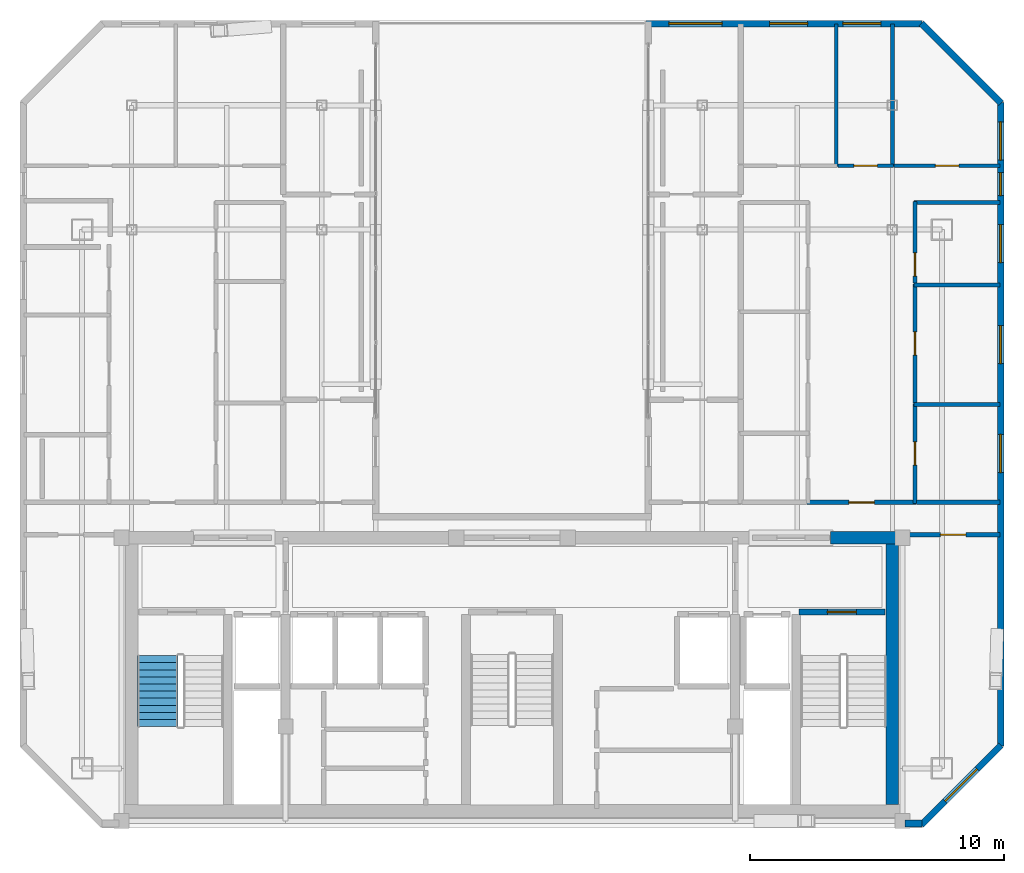
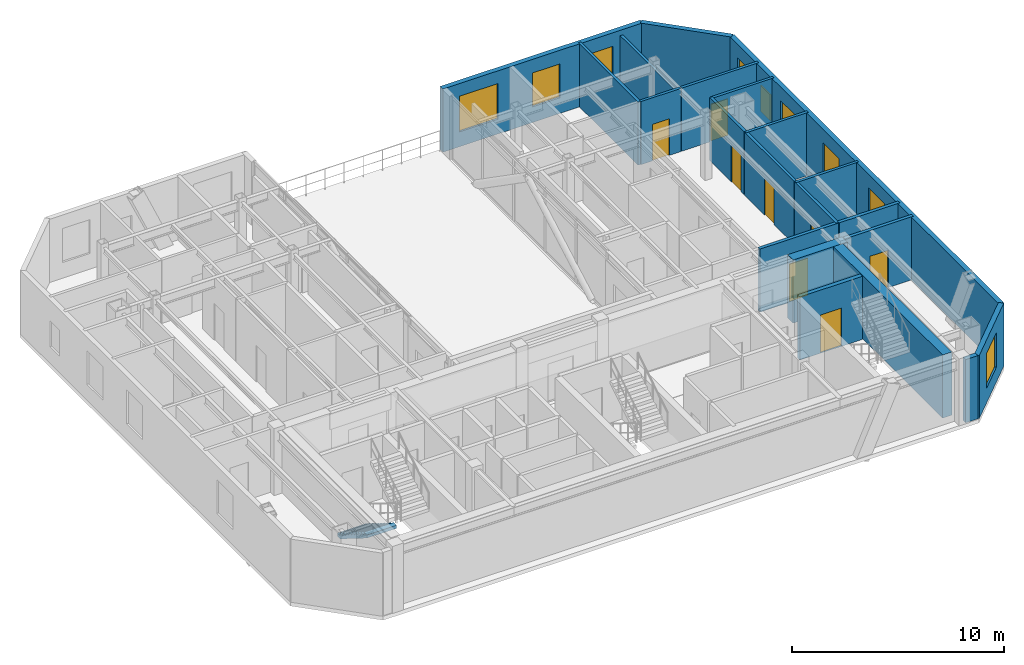
# One storey, part 12 of 14: 21 walls, 9 windows, 8 doors, 1 stair flight, 17 openings, 1 element without a shape of its own.
"""IFC4 building model written with IfcOpenShell, lengths in metres."""

from ifc_helpers import new_model, si_unit, direction, frame, frame_2d, origin, place, context, subcontext, project, spatial, polyline, rectangle, outline, extrude, material, layer, layer_set, type_object, element, fill, aggregate, save


model = new_model("IFC4")

# Units and contexts
model_context = context("Model", 3, precision=1e-05, world=origin(), true_north=direction((0.0, 1.0)))
body_context = subcontext(model_context, "Body", "Model", "MODEL_VIEW")
ifc_project = project(units=[si_unit("LENGTHUNIT", "METRE"), si_unit("AREAUNIT", "SQUARE_METRE"), si_unit("VOLUMEUNIT", "CUBIC_METRE"), si_unit("PLANEANGLEUNIT", "RADIAN"), si_unit("MASSUNIT", "GRAM", prefix="KILO")], contexts=[model_context])

# Site, building, storey
site_placement = place(None, origin())
site = spatial("IfcSite", under=ifc_project, at=site_placement, CompositionType="ELEMENT")
building_placement = place(site_placement, origin())
building = spatial("IfcBuilding", under=site, at=building_placement, Name="Ventersveld Concourse Tower", CompositionType="ELEMENT")
storey_placement = place(building_placement, frame((0.0, 0.0, 337.5)))
storey = spatial("IfcBuildingStorey", under=building, at=storey_placement, Name="L83", CompositionType="ELEMENT", Elevation=337.5)

# Walls
ifc_material_1 = material(Name="Concrete C50/60", Category="concrete")
ifc_layer_1 = layer(ifc_material_1, 0.5)
ifc_layer_set_1 = layer_set([ifc_layer_1], Name="Concrete C50/60")
wall_type_1 = type_object("IfcWallType", Name="WL-CORE-500", PredefinedType="SHEAR", material=ifc_layer_set_1)
wall_1_placement = place(storey_placement, frame((43.75, 0.919921875, 0.0), z_axis=(0.0, 0.0, 1.0), x_axis=(0.0, 1.0, 0.0)))
element("IfcWall", 1, at=wall_1_placement, inside=storey, type_object=wall_type_1, Name="L83 Rear Core East Shear Wall", PredefinedType="SHEAR", context=body_context, shape_type="SweptSolid", body=[
    extrude(rectangle(XDim=10.530029296875, YDim=0.5, at=frame_2d((5.26513671875, 0.0))), origin(), (0.0, 0.0, 1.0), 3.6298828125),
])
wall_2_placement = place(storey_placement, frame((41.300048828125, 11.449951171875, 0.0), z_axis=(0.0, 0.0, 1.0), x_axis=(1.0, 0.0, 0.0)))
element("IfcWall", 2, at=wall_2_placement, inside=storey, type_object=wall_type_1, Name="L83 Rear Core North Shear Wall NE", PredefinedType="SHEAR", context=body_context, shape_type="SweptSolid", body=[
    extrude(rectangle(XDim=2.949951171875, YDim=0.5, at=frame_2d((1.47509765625, 0.0))), origin(), (0.0, 0.0, 1.0), 3.6298828125),
])

# Wall, opening, door
ifc_material_2 = material(Name="Fire-rated autoclaved aerated masonry blockwork", Category="masonry")
ifc_layer_2 = layer(ifc_material_2, 0.179931640625)
ifc_layer_set_2 = layer_set([ifc_layer_2], Name="Fire-rated autoclaved aerated masonry blockwork")
wall_type_2 = type_object("IfcWallType", Name="WL-CORR-180", PredefinedType="PARTITIONING", material=ifc_layer_set_2)
wall_3_placement = place(storey_placement, frame((44.284912109375, 11.570068359375, 0.0), z_axis=(0.0, 0.0, 1.0), x_axis=(1.0, 0.0, 0.0)))
wall_3 = element("IfcWall", 3, at=wall_3_placement, inside=storey, type_object=wall_type_2, Name="L83 Interior Partition SP-L83-COR-E-SP-L83-SELNG", PredefinedType="PARTITIONING", context=body_context, shape_type="SweptSolid", body=[
    extrude(rectangle(XDim=3.71728515625, YDim=0.179931640625, at=frame_2d((1.858642578125, 0.0))), origin(), (0.0, 0.0, 1.0), 3.6298828125),
])
opening_1_placement = place(wall_3_placement, frame((1.358642578125, 0.0, 0.0)))
opening_1 = element("IfcOpeningElement", 4, at=opening_1_placement, cuts=wall_3, Name="Opening FD3", PredefinedType="OPENING", context=body_context, shape_type="SweptSolid", body=[
    extrude(rectangle(XDim=1.0, YDim=2.14990234375, at=frame_2d((0.5, 1.074951171875))), frame((0.0, 0.10009765625, 0.0), z_axis=(0.0, -1.0, 0.0), x_axis=(1.0, 0.0, 0.0)), (0.0, 0.0, 1.0), 0.199951171875),
])
ifc_material_3 = material(Name="Solid-core hardwood veneer timber", Category="wood")
door_type_1 = type_object("IfcDoorType", Name="DR-FLAT-100", OperationType="NOTDEFINED", PredefinedType="DOOR", material=ifc_material_3)
door_1_placement = place(opening_1_placement, origin())
door_1 = element("IfcDoor", 5, at=door_1_placement, inside=storey, type_object=door_type_1, Name="L83 Interior Door SP-L83-COR-E to SP-L83-SELNG (D-L83-3744)", OperationType="SINGLE_SWING_RIGHT", OverallHeight=2.14990234375, OverallWidth=1.0, PredefinedType="DOOR", context=body_context, shape_type="SweptSolid", body=[
    extrude(rectangle(XDim=1.0, YDim=2.14990234375, at=frame_2d((0.5, 1.074951171875))), frame((0.0, 0.02490234375, 0.0), z_axis=(0.0, -1.0, 0.0), x_axis=(1.0, 0.0, 0.0)), (0.0, 0.0, 1.0), 0.050048828125),
])
fill(opening_1, door_1)

wall_4_placement = place(storey_placement, frame((40.391845703125, 12.840087890625, 0.0), z_axis=(0.0, 0.0, 1.0), x_axis=(1.0, 0.0, 0.0)))
wall_4 = element("IfcWall", 6, at=wall_4_placement, inside=storey, type_object=wall_type_2, Name="L83 Interior Partition SP-L83-COR-E-SP-L83-83EB-LIV", PredefinedType="PARTITIONING", context=body_context, shape_type="SweptSolid", body=[
    extrude(rectangle(XDim=4.28857421875, YDim=0.179931640625, at=frame_2d((2.144287109375, 0.0))), origin(), (0.0, 0.0, 1.0), 3.6298828125),
])
opening_2_placement = place(wall_4_placement, frame((1.644287109375, 0.0, 0.0)))
opening_2 = element("IfcOpeningElement", 7, at=opening_2_placement, cuts=wall_4, Name="Opening FD3", PredefinedType="OPENING", context=body_context, shape_type="SweptSolid", body=[
    extrude(rectangle(XDim=1.0, YDim=2.14990234375, at=frame_2d((0.5, 1.074951171875))), frame((0.0, 0.10009765625, 0.0), z_axis=(0.0, -1.0, 0.0), x_axis=(1.0, 0.0, 0.0)), (0.0, 0.0, 1.0), 0.199951171875),
])
door_2_placement = place(opening_2_placement, origin())
door_2 = element("IfcDoor", 8, at=door_2_placement, inside=storey, type_object=door_type_1, Name="L83 Interior Door SP-L83-COR-E to SP-L83-83EB-LIV (FD-L83-3746)", OperationType="SINGLE_SWING_RIGHT", OverallHeight=2.14990234375, OverallWidth=1.0, PredefinedType="DOOR", context=body_context, shape_type="SweptSolid", body=[
    extrude(rectangle(XDim=1.0, YDim=2.14990234375, at=frame_2d((0.5, 1.074951171875))), frame((0.0, 0.02490234375, 0.0), z_axis=(0.0, -1.0, 0.0), x_axis=(1.0, 0.0, 0.0)), (0.0, 0.0, 1.0), 0.050048828125),
])
fill(opening_2, door_2)

# Wall
wall_5_placement = place(storey_placement, frame((44.71044921875, 12.840087890625, 0.0), z_axis=(0.0, 0.0, 1.0), x_axis=(1.0, 0.0, 0.0)))
element("IfcWall", 9, at=wall_5_placement, inside=storey, type_object=wall_type_2, Name="L83 Interior Partition SP-L83-COR-E-SP-L83-83EB-KIT", PredefinedType="PARTITIONING", context=body_context, shape_type="SweptSolid", body=[
    extrude(rectangle(XDim=3.291748046875, YDim=0.179931640625, at=frame_2d((1.64599609375, 0.0))), origin(), (0.0, 0.0, 1.0), 3.6298828125),
])

# Wall, opening, door
ifc_layer_3 = layer(ifc_material_2, 0.219970703125)
ifc_layer_set_3 = layer_set([ifc_layer_3], Name="Fire-rated autoclaved aerated masonry blockwork")
wall_type_3 = type_object("IfcWallType", Name="WL-HOIST-220", PredefinedType="SOLIDWALL", material=ifc_layer_set_3)
wall_6_placement = place(storey_placement, frame((40.06005859375, 8.52001953125, 0.0), z_axis=(0.0, 0.0, 1.0), x_axis=(1.0, 0.0, 0.0)))
wall_6 = element("IfcWall", 10, at=wall_6_placement, inside=storey, type_object=wall_type_3, Name="L83 Escape Stair ST02 Fire Wall", PredefinedType="SOLIDWALL", context=body_context, shape_type="SweptSolid", body=[
    extrude(rectangle(XDim=3.39990234375, YDim=0.219970703125, at=frame_2d((1.699951171875, 0.0))), origin(), (0.0, 0.0, 1.0), 3.6298828125),
])
opening_3_placement = place(wall_6_placement, frame((1.125, 0.0, 0.0)))
opening_3 = element("IfcOpeningElement", 11, at=opening_3_placement, cuts=wall_6, Name="Opening FD1", PredefinedType="OPENING", context=body_context, shape_type="SweptSolid", body=[
    extrude(rectangle(XDim=1.14990234375, YDim=2.199951171875, at=frame_2d((0.574951171875, 1.10009765625))), frame((0.0, 0.1201171875, 0.0), z_axis=(0.0, -1.0, 0.0), x_axis=(1.0, 0.0, 0.0)), (0.0, 0.0, 1.0), 0.239990234375),
])
ifc_material_4 = material(Name="Galvanised painted steel", Category="steel")
door_type_2 = type_object("IfcDoorType", Name="DR-STAIR-115", OperationType="NOTDEFINED", PredefinedType="DOOR", material=ifc_material_4)
door_3_placement = place(opening_3_placement, origin())
door_3 = element("IfcDoor", 12, at=door_3_placement, inside=storey, type_object=door_type_2, Name="L83 Escape Stair Door ST02 (SD-L83-3729)", OperationType="SINGLE_SWING_RIGHT", OverallHeight=2.199951171875, OverallWidth=1.14990234375, PredefinedType="DOOR", context=body_context, shape_type="SweptSolid", body=[
    extrude(rectangle(XDim=1.14990234375, YDim=2.199951171875, at=frame_2d((0.574951171875, 1.10009765625))), frame((0.0, 0.02490234375, 0.0), z_axis=(0.0, -1.0, 0.0), x_axis=(1.0, 0.0, 0.0)), (0.0, 0.0, 1.0), 0.050048828125),
])
fill(opening_3, door_3)

ifc_material_5 = material(Name="Autoclaved aerated masonry blockwork", Category="masonry")
ifc_layer_4 = layer(ifc_material_5, 0.14990234375)
ifc_layer_set_4 = layer_set([ifc_layer_4], Name="Autoclaved aerated masonry blockwork")
wall_type_4 = type_object("IfcWallType", Name="WL-INT-150", PredefinedType="PARTITIONING", material=ifc_layer_set_4)
wall_7_placement = place(storey_placement, frame((44.6455078125, 12.804931640625, 0.0), z_axis=(0.0, 0.0, 1.0), x_axis=(0.0, 1.0, 0.0)))
wall_7 = element("IfcWall", 13, at=wall_7_placement, inside=storey, type_object=wall_type_4, Name="L83 Interior Partition SP-L83-83EB-LIV-SP-L83-83EB-KIT", PredefinedType="PARTITIONING", context=body_context, shape_type="SweptSolid", body=[
    extrude(rectangle(XDim=3.930908203125, YDim=0.14990234375, at=frame_2d((1.96533203125, 0.0))), origin(), (0.0, 0.0, 1.0), 3.6298828125),
])
opening_4_placement = place(wall_7_placement, frame((1.505615234375, 0.0, 0.0)))
opening_4 = element("IfcOpeningElement", 14, at=opening_4_placement, cuts=wall_7, Name="Opening ID1", PredefinedType="OPENING", context=body_context, shape_type="SweptSolid", body=[
    extrude(rectangle(XDim=0.919921875, YDim=2.10009765625, at=frame_2d((0.4599609375, 1.050048828125))), frame((0.0, 0.0849609375, 0.0), z_axis=(0.0, -1.0, 0.0), x_axis=(1.0, 0.0, 0.0)), (0.0, 0.0, 1.0), 0.169921875),
])
door_type_3 = type_object("IfcDoorType", Name="DR-ROOM-092", OperationType="NOTDEFINED", PredefinedType="DOOR", material=ifc_material_3)
door_4_placement = place(opening_4_placement, origin())
door_4 = element("IfcDoor", 15, at=door_4_placement, inside=storey, type_object=door_type_3, Name="L83 Interior Door SP-L83-83EB-LIV to SP-L83-83EB-KIT (D-L83-3762)", OperationType="SINGLE_SWING_RIGHT", OverallHeight=2.10009765625, OverallWidth=0.919921875, PredefinedType="DOOR", context=body_context, shape_type="SweptSolid", body=[
    extrude(rectangle(XDim=0.919921875, YDim=2.10009765625, at=frame_2d((0.4599609375, 1.050048828125))), frame((0.0, 0.02490234375, 0.0), z_axis=(0.0, -1.0, 0.0), x_axis=(1.0, 0.0, 0.0)), (0.0, 0.0, 1.0), 0.050048828125),
])
fill(opening_4, door_4)

wall_8_placement = place(storey_placement, frame((44.6455078125, 16.765869140625, 0.0), z_axis=(0.0, 0.0, 1.0), x_axis=(0.0, 1.0, 0.0)))
wall_8 = element("IfcWall", 16, at=wall_8_placement, inside=storey, type_object=wall_type_4, Name="L83 Interior Partition SP-L83-83EB-LIV-SP-L83-83EB-MEDR1", PredefinedType="PARTITIONING", context=body_context, shape_type="SweptSolid", body=[
    extrude(rectangle(XDim=4.688232421875, YDim=0.14990234375, at=frame_2d((2.34423828125, 0.0))), origin(), (0.0, 0.0, 1.0), 3.6298828125),
])
opening_5_placement = place(wall_8_placement, frame((1.884033203125, 0.0, 0.0)))
opening_5 = element("IfcOpeningElement", 17, at=opening_5_placement, cuts=wall_8, Name="Opening ID1", PredefinedType="OPENING", context=body_context, shape_type="SweptSolid", body=[
    extrude(rectangle(XDim=0.919921875, YDim=2.10009765625, at=frame_2d((0.4599609375, 1.050048828125))), frame((0.0, 0.0849609375, 0.0), z_axis=(0.0, -1.0, 0.0), x_axis=(1.0, 0.0, 0.0)), (0.0, 0.0, 1.0), 0.169921875),
])
door_5_placement = place(opening_5_placement, origin())
door_5 = element("IfcDoor", 18, at=door_5_placement, inside=storey, type_object=door_type_3, Name="L83 Interior Door SP-L83-83EB-LIV to SP-L83-83EB-MEDR1 (D-L83-3763)", OperationType="SINGLE_SWING_LEFT", OverallHeight=2.10009765625, OverallWidth=0.919921875, PredefinedType="DOOR", context=body_context, shape_type="SweptSolid", body=[
    extrude(rectangle(XDim=0.919921875, YDim=2.10009765625, at=frame_2d((0.4599609375, 1.050048828125))), frame((0.0, 0.02490234375, 0.0), z_axis=(0.0, -1.0, 0.0), x_axis=(1.0, 0.0, 0.0)), (0.0, 0.0, 1.0), 0.050048828125),
])
fill(opening_5, door_5)

wall_9_placement = place(storey_placement, frame((44.6455078125, 21.484130859375, 0.0), z_axis=(0.0, 0.0, 1.0), x_axis=(0.0, 1.0, 0.0)))
wall_9 = element("IfcWall", 19, at=wall_9_placement, inside=storey, type_object=wall_type_4, Name="L83 Interior Partition SP-L83-83EB-LIV-SP-L83-83EB-SEMR3", PredefinedType="PARTITIONING", context=body_context, shape_type="SweptSolid", body=[
    extrude(rectangle(XDim=3.224609375, YDim=0.14990234375, at=frame_2d((1.6123046875, 0.0))), origin(), (0.0, 0.0, 1.0), 3.6298828125),
])
opening_6_placement = place(wall_9_placement, frame((0.280029296875, 0.0, 0.0)))
opening_6 = element("IfcOpeningElement", 20, at=opening_6_placement, cuts=wall_9, Name="Opening ID1", PredefinedType="OPENING", context=body_context, shape_type="SweptSolid", body=[
    extrude(rectangle(XDim=0.919921875, YDim=2.10009765625, at=frame_2d((0.4599609375, 1.050048828125))), frame((0.0, 0.0849609375, 0.0), z_axis=(0.0, -1.0, 0.0), x_axis=(1.0, 0.0, 0.0)), (0.0, 0.0, 1.0), 0.169921875),
])
door_6_placement = place(opening_6_placement, origin())
door_6 = element("IfcDoor", 21, at=door_6_placement, inside=storey, type_object=door_type_3, Name="L83 Interior Door SP-L83-83EB-LIV to SP-L83-83EB-SEMR3 (D-L83-3764)", OperationType="SINGLE_SWING_RIGHT", OverallHeight=2.10009765625, OverallWidth=0.919921875, PredefinedType="DOOR", context=body_context, shape_type="SweptSolid", body=[
    extrude(rectangle(XDim=0.919921875, YDim=2.10009765625, at=frame_2d((0.4599609375, 1.050048828125))), frame((0.0, 0.02490234375, 0.0), z_axis=(0.0, -1.0, 0.0), x_axis=(1.0, 0.0, 0.0)), (0.0, 0.0, 1.0), 0.050048828125),
])
fill(opening_6, door_6)

# Wall
wall_10_placement = place(storey_placement, frame((44.6103515625, 24.673828125, 0.0), z_axis=(0.0, 0.0, 1.0), x_axis=(1.0, 0.0, 0.0)))
element("IfcWall", 22, at=wall_10_placement, inside=storey, type_object=wall_type_4, Name="L83 Interior Partition SP-L83-83EB-LIV-SP-L83-83EB-SEMR3", PredefinedType="PARTITIONING", context=body_context, shape_type="SweptSolid", body=[
    extrude(rectangle(XDim=3.391845703125, YDim=0.14990234375, at=frame_2d((1.69580078125, 0.0))), origin(), (0.0, 0.0, 1.0), 3.6298828125),
])

# Wall, opening, door
wall_11_placement = place(storey_placement, frame((41.603271484375, 26.11376953125, 0.0), z_axis=(0.0, 0.0, 1.0), x_axis=(1.0, 0.0, 0.0)))
wall_11 = element("IfcWall", 23, at=wall_11_placement, inside=storey, type_object=wall_type_4, Name="L83 Interior Partition SP-L83-83EB-LIV-SP-L83-83EB-BR2", PredefinedType="PARTITIONING", context=body_context, shape_type="SweptSolid", body=[
    extrude(rectangle(XDim=2.181640625, YDim=0.14990234375, at=frame_2d((1.0908203125, 0.0))), origin(), (0.0, 0.0, 1.0), 3.6298828125),
])
opening_7_placement = place(wall_11_placement, frame((0.630859375, 0.0, 0.0)))
opening_7 = element("IfcOpeningElement", 24, at=opening_7_placement, cuts=wall_11, Name="Opening ID1", PredefinedType="OPENING", context=body_context, shape_type="SweptSolid", body=[
    extrude(rectangle(XDim=0.919921875, YDim=2.10009765625, at=frame_2d((0.4599609375, 1.050048828125))), frame((0.0, 0.0849609375, 0.0), z_axis=(0.0, -1.0, 0.0), x_axis=(1.0, 0.0, 0.0)), (0.0, 0.0, 1.0), 0.169921875),
])
door_7_placement = place(opening_7_placement, origin())
door_7 = element("IfcDoor", 25, at=door_7_placement, inside=storey, type_object=door_type_3, Name="L83 Interior Door SP-L83-83EB-LIV to SP-L83-83EB-BR2 (D-L83-3766)", OperationType="SINGLE_SWING_RIGHT", OverallHeight=2.10009765625, OverallWidth=0.919921875, PredefinedType="DOOR", context=body_context, shape_type="SweptSolid", body=[
    extrude(rectangle(XDim=0.919921875, YDim=2.10009765625, at=frame_2d((0.4599609375, 1.050048828125))), frame((0.0, 0.02490234375, 0.0), z_axis=(0.0, -1.0, 0.0), x_axis=(1.0, 0.0, 0.0)), (0.0, 0.0, 1.0), 0.050048828125),
])
fill(opening_7, door_7)

wall_12_placement = place(storey_placement, frame((43.81494140625, 26.11376953125, 0.0), z_axis=(0.0, 0.0, 1.0), x_axis=(1.0, 0.0, 0.0)))
wall_12 = element("IfcWall", 26, at=wall_12_placement, inside=storey, type_object=wall_type_4, Name="L83 Interior Partition SP-L83-83EB-LIV-SP-L83-83EB-BR3", PredefinedType="PARTITIONING", context=body_context, shape_type="SweptSolid", body=[
    extrude(rectangle(XDim=4.187255859375, YDim=0.14990234375, at=frame_2d((2.09375, 0.0))), origin(), (0.0, 0.0, 1.0), 3.6298828125),
])
opening_8_placement = place(wall_12_placement, frame((1.633544921875, 0.0, 0.0)))
opening_8 = element("IfcOpeningElement", 27, at=opening_8_placement, cuts=wall_12, Name="Opening ID1", PredefinedType="OPENING", context=body_context, shape_type="SweptSolid", body=[
    extrude(rectangle(XDim=0.919921875, YDim=2.10009765625, at=frame_2d((0.4599609375, 1.050048828125))), frame((0.0, 0.0849609375, 0.0), z_axis=(0.0, -1.0, 0.0), x_axis=(1.0, 0.0, 0.0)), (0.0, 0.0, 1.0), 0.169921875),
])
door_8_placement = place(opening_8_placement, origin())
door_8 = element("IfcDoor", 28, at=door_8_placement, inside=storey, type_object=door_type_3, Name="L83 Interior Door SP-L83-83EB-LIV to SP-L83-83EB-BR3 (D-L83-3767)", OperationType="SINGLE_SWING_LEFT", OverallHeight=2.10009765625, OverallWidth=0.919921875, PredefinedType="DOOR", context=body_context, shape_type="SweptSolid", body=[
    extrude(rectangle(XDim=0.919921875, YDim=2.10009765625, at=frame_2d((0.4599609375, 1.050048828125))), frame((0.0, 0.02490234375, 0.0), z_axis=(0.0, -1.0, 0.0), x_axis=(1.0, 0.0, 0.0)), (0.0, 0.0, 1.0), 0.050048828125),
])
fill(opening_8, door_8)

# Walls
for number, where, z_axis, x_axis, name in (
    (29, (44.6103515625, 16.700927734375, 0.0), (0.0, 0.0, 1.0), (1.0, 0.0, 0.0), "L83 Interior Partition SP-L83-83EB-KIT-SP-L83-83EB-MEDR1"),
    (30, (44.6103515625, 21.419189453125, 0.0), (0.0, 0.0, 1.0), (1.0, 0.0, 0.0), "L83 Interior Partition SP-L83-83EB-MEDR1-SP-L83-83EB-SEMR3"),
):
    element("IfcWall", number, at=place(storey_placement, frame(where, z_axis=z_axis, x_axis=x_axis)), inside=storey, type_object=wall_type_4, Name=name, PredefinedType="PARTITIONING", context=body_context, shape_type="SweptSolid", body=[
        extrude(rectangle(XDim=3.391845703125, YDim=0.14990234375, at=frame_2d((1.69580078125, 0.0))), origin(), (0.0, 0.0, 1.0), 3.6298828125),
    ])
wall_13_placement = place(storey_placement, frame((41.538330078125, 26.078857421875, 0.0), z_axis=(0.0, 0.0, 1.0), x_axis=(0.0, 1.0, 0.0)))
element("IfcWall", 31, at=wall_13_placement, inside=storey, type_object=wall_type_4, Name="L83 Interior Partition SP-L83-83EB-BR1-SP-L83-83EB-BR2", PredefinedType="PARTITIONING", context=body_context, shape_type="SweptSolid", body=[
    extrude(rectangle(XDim=5.62548828125, YDim=0.14990234375, at=frame_2d((2.812744140625, 0.0))), origin(), (0.0, 0.0, 1.0), 3.6298828125),
])
wall_14_placement = place(storey_placement, frame((43.75, 26.078857421875, 0.0), z_axis=(0.0, 0.0, 1.0), x_axis=(0.0, 1.0, 0.0)))
element("IfcWall", 32, at=wall_14_placement, inside=storey, type_object=wall_type_4, Name="L83 Interior Partition SP-L83-83EB-BR2-SP-L83-83EB-BR3", PredefinedType="PARTITIONING", context=body_context, shape_type="SweptSolid", body=[
    extrude(rectangle(XDim=5.62548828125, YDim=0.14990234375, at=frame_2d((2.812744140625, 0.0))), origin(), (0.0, 0.0, 1.0), 3.32666015625),
])
ifc_material_6 = material(Name="Precast concrete C45/55", Category="concrete")
ifc_layer_5 = layer(ifc_material_6, 0.260009765625)
ifc_layer_set_5 = layer_set([ifc_layer_5], Name="Precast concrete C45/55")
wall_type_5 = type_object("IfcWallType", Name="WL-PREC-260", PredefinedType="SOLIDWALL", material=ifc_layer_set_5)
wall_15_placement = place(storey_placement, frame((44.25, 0.179931640625, 0.0), z_axis=(0.0, 0.0, 1.0), x_axis=(1.0, 0.0, 0.0)))
element("IfcWall", 33, at=wall_15_placement, inside=storey, type_object=wall_type_5, Name="L83 South-East Flank Precast Wall", PredefinedType="SOLIDWALL", context=body_context, shape_type="SweptSolid", body=[
    extrude(rectangle(XDim=0.66162109375, YDim=0.260009765625, at=frame_2d((0.330810546875, 0.0))), origin(), (0.0, 0.0, 1.0), 3.6298828125),
])

# Wall, opening, window
wall_16_placement = place(storey_placement, frame((44.887939453125, 0.1201171875, 0.0), z_axis=(0.0, 0.0, 1.0), x_axis=(0.707106781187, 0.707106781187, 0.0)))
wall_16 = element("IfcWall", 34, at=wall_16_placement, inside=storey, type_object=wall_type_5, Name="L83 Highveld Precast Facade Wall E02", PredefinedType="SOLIDWALL", context=body_context, shape_type="SweptSolid", body=[
    extrude(rectangle(XDim=4.445556640625, YDim=0.260009765625, at=frame_2d((2.22265625, 0.0))), origin(), (0.0, 0.0, 1.0), 3.6298828125),
])
opening_9_placement = place(wall_16_placement, frame((1.32275390625, 0.0, 0.85009765625)))
opening_9 = element("IfcOpeningElement", 35, at=opening_9_placement, cuts=wall_16, Name="Opening W2", PredefinedType="OPENING", context=body_context, shape_type="SweptSolid", body=[
    extrude(rectangle(XDim=1.800048828125, YDim=2.0, at=frame_2d((0.89990234375, 1.0))), frame((0.0, 0.14013671875, 0.0), z_axis=(0.0, -1.0, 0.0), x_axis=(1.0, 0.0, 0.0)), (0.0, 0.0, 1.0), 0.280029296875),
])
ifc_material_7 = material(Name="Tempered acoustic Low-E IGU", Category="glass")
window_type_1 = type_object("IfcWindowType", Name="WIN-180x210", PartitioningType="SINGLE_PANEL", PredefinedType="WINDOW", material=ifc_material_7)
window_1_placement = place(opening_9_placement, origin())
window_1 = element("IfcWindow", 36, at=window_1_placement, inside=storey, type_object=window_type_1, Name="L83 Punched Low-E Window W-1159", OverallHeight=2.0, OverallWidth=1.800048828125, PartitioningType="SINGLE_PANEL", PredefinedType="WINDOW", context=body_context, shape_type="SweptSolid", body=[
    extrude(rectangle(XDim=1.800048828125, YDim=2.0, at=frame_2d((0.89990234375, 1.0))), frame((0.0, 0.030029296875, 0.0), z_axis=(0.0, -1.0, 0.0), x_axis=(1.0, 0.0, 0.0)), (0.0, 0.0, 1.0), 0.06005859375),
])
fill(opening_9, window_1)

# Wall, openings, windows
wall_17_placement = place(storey_placement, frame((48.021484375, 3.239990234375, 0.0), z_axis=(0.0, 0.0, 1.0), x_axis=(0.0, 1.0, 0.0)))
wall_17 = element("IfcWall", 37, at=wall_17_placement, inside=storey, type_object=wall_type_5, Name="L83 Highveld Precast Facade Wall E03", PredefinedType="SOLIDWALL", context=body_context, shape_type="SweptSolid", body=[
    extrude(rectangle(XDim=25.373779296875, YDim=0.260009765625, at=frame_2d((12.68701171875, 0.0))), origin(), (0.0, 0.0, 1.0), 3.6298828125),
])
opening_10_placement = place(wall_17_placement, frame((21.703857421875, 0.0, 0.949951171875)))
opening_10 = element("IfcOpeningElement", 38, at=opening_10_placement, cuts=wall_17, Name="Opening W4", PredefinedType="OPENING", context=body_context, shape_type="SweptSolid", body=[
    extrude(rectangle(XDim=0.89990234375, YDim=1.5, at=frame_2d((0.449951171875, 0.75))), frame((0.0, 0.14013671875, 0.0), z_axis=(0.0, -1.0, 0.0), x_axis=(1.0, 0.0, 0.0)), (0.0, 0.0, 1.0), 0.280029296875),
])
opening_11_placement = place(wall_17_placement, frame((10.780517578125, 0.0, 0.89990234375)))
opening_11 = element("IfcOpeningElement", 39, at=opening_11_placement, cuts=wall_17, Name="Opening W1", PredefinedType="OPENING", context=body_context, shape_type="SweptSolid", body=[
    extrude(rectangle(XDim=1.5, YDim=1.949951171875, at=frame_2d((0.75, 0.97509765625))), frame((0.0, 0.14013671875, 0.0), z_axis=(0.0, -1.0, 0.0), x_axis=(1.0, 0.0, 0.0)), (0.0, 0.0, 1.0), 0.280029296875),
])
opening_12_placement = place(wall_17_placement, frame((15.070068359375, 0.0, 0.89990234375)))
opening_12 = element("IfcOpeningElement", 40, at=opening_12_placement, cuts=wall_17, Name="Opening W1", PredefinedType="OPENING", context=body_context, shape_type="SweptSolid", body=[
    extrude(rectangle(XDim=1.5, YDim=1.949951171875, at=frame_2d((0.75, 0.97509765625))), frame((0.0, 0.14013671875, 0.0), z_axis=(0.0, -1.0, 0.0), x_axis=(1.0, 0.0, 0.0)), (0.0, 0.0, 1.0), 0.280029296875),
])
opening_13_placement = place(wall_17_placement, frame((19.056396484375, 0.0, 0.89990234375)))
opening_13 = element("IfcOpeningElement", 41, at=opening_13_placement, cuts=wall_17, Name="Opening W1", PredefinedType="OPENING", context=body_context, shape_type="SweptSolid", body=[
    extrude(rectangle(XDim=1.5, YDim=1.949951171875, at=frame_2d((0.75, 0.97509765625))), frame((0.0, 0.14013671875, 0.0), z_axis=(0.0, -1.0, 0.0), x_axis=(1.0, 0.0, 0.0)), (0.0, 0.0, 1.0), 0.280029296875),
])
opening_14_placement = place(wall_17_placement, frame((23.103759765625, 0.0, 0.89990234375)))
opening_14 = element("IfcOpeningElement", 42, at=opening_14_placement, cuts=wall_17, Name="Opening W1", PredefinedType="OPENING", context=body_context, shape_type="SweptSolid", body=[
    extrude(rectangle(XDim=1.5, YDim=1.949951171875, at=frame_2d((0.75, 0.97509765625))), frame((0.0, 0.14013671875, 0.0), z_axis=(0.0, -1.0, 0.0), x_axis=(1.0, 0.0, 0.0)), (0.0, 0.0, 1.0), 0.280029296875),
])
window_type_2 = type_object("IfcWindowType", Name="WIN-090x150", PartitioningType="SINGLE_PANEL", PredefinedType="WINDOW", material=ifc_material_7)
window_2_placement = place(opening_10_placement, origin())
window_2 = element("IfcWindow", 43, at=window_2_placement, inside=storey, type_object=window_type_2, Name="L83 Punched Low-E Window W-1167", OverallHeight=1.5, OverallWidth=0.89990234375, PartitioningType="SINGLE_PANEL", PredefinedType="WINDOW", context=body_context, shape_type="SweptSolid", body=[
    extrude(rectangle(XDim=0.89990234375, YDim=1.5, at=frame_2d((0.449951171875, 0.75))), frame((0.0, 0.030029296875, 0.0), z_axis=(0.0, -1.0, 0.0), x_axis=(1.0, 0.0, 0.0)), (0.0, 0.0, 1.0), 0.06005859375),
])
fill(opening_10, window_2)
window_type_3 = type_object("IfcWindowType", Name="WIN-150x210", PartitioningType="SINGLE_PANEL", PredefinedType="WINDOW", material=ifc_material_7)
window_3_placement = place(opening_11_placement, origin())
window_3 = element("IfcWindow", 44, at=window_3_placement, inside=storey, type_object=window_type_3, Name="L83 Punched Low-E Window W-1168", OverallHeight=1.949951171875, OverallWidth=1.5, PartitioningType="SINGLE_PANEL", PredefinedType="WINDOW", context=body_context, shape_type="SweptSolid", body=[
    extrude(rectangle(XDim=1.5, YDim=1.949951171875, at=frame_2d((0.75, 0.97509765625))), frame((0.0, 0.030029296875, 0.0), z_axis=(0.0, -1.0, 0.0), x_axis=(1.0, 0.0, 0.0)), (0.0, 0.0, 1.0), 0.06005859375),
])
fill(opening_11, window_3)
window_4_placement = place(opening_12_placement, origin())
window_4 = element("IfcWindow", 45, at=window_4_placement, inside=storey, type_object=window_type_3, Name="L83 Punched Low-E Window W-1169", OverallHeight=1.949951171875, OverallWidth=1.5, PartitioningType="SINGLE_PANEL", PredefinedType="WINDOW", context=body_context, shape_type="SweptSolid", body=[
    extrude(rectangle(XDim=1.5, YDim=1.949951171875, at=frame_2d((0.75, 0.97509765625))), frame((0.0, 0.030029296875, 0.0), z_axis=(0.0, -1.0, 0.0), x_axis=(1.0, 0.0, 0.0)), (0.0, 0.0, 1.0), 0.06005859375),
])
fill(opening_12, window_4)
window_5_placement = place(opening_13_placement, origin())
window_5 = element("IfcWindow", 46, at=window_5_placement, inside=storey, type_object=window_type_3, Name="L83 Punched Low-E Window W-1170", OverallHeight=1.949951171875, OverallWidth=1.5, PartitioningType="SINGLE_PANEL", PredefinedType="WINDOW", context=body_context, shape_type="SweptSolid", body=[
    extrude(rectangle(XDim=1.5, YDim=1.949951171875, at=frame_2d((0.75, 0.97509765625))), frame((0.0, 0.030029296875, 0.0), z_axis=(0.0, -1.0, 0.0), x_axis=(1.0, 0.0, 0.0)), (0.0, 0.0, 1.0), 0.06005859375),
])
fill(opening_13, window_5)
window_6_placement = place(opening_14_placement, origin())
window_6 = element("IfcWindow", 47, at=window_6_placement, inside=storey, type_object=window_type_3, Name="L83 Punched Low-E Window W-1173", OverallHeight=1.949951171875, OverallWidth=1.5, PartitioningType="SINGLE_PANEL", PredefinedType="WINDOW", context=body_context, shape_type="SweptSolid", body=[
    extrude(rectangle(XDim=1.5, YDim=1.949951171875, at=frame_2d((0.75, 0.97509765625))), frame((0.0, 0.030029296875, 0.0), z_axis=(0.0, -1.0, 0.0), x_axis=(1.0, 0.0, 0.0)), (0.0, 0.0, 1.0), 0.06005859375),
])
fill(opening_14, window_6)

# Wall
wall_18_placement = place(storey_placement, frame((48.031494140625, 28.590087890625, 0.0), z_axis=(0.0, 0.0, 1.0), x_axis=(-0.707106781187, 0.707106781187, 0.0)))
element("IfcWall", 48, at=wall_18_placement, inside=storey, type_object=wall_type_5, Name="L83 Highveld Precast Facade Wall E04", PredefinedType="SOLIDWALL", context=body_context, shape_type="SweptSolid", body=[
    extrude(rectangle(XDim=4.445556640625, YDim=0.260009765625, at=frame_2d((2.22265625, 0.0))), origin(), (0.0, 0.0, 1.0), 3.6298828125),
])

# Wall, openings, windows
wall_19_placement = place(storey_placement, frame((44.91162109375, 31.723876953125, 0.0), z_axis=(0.0, 0.0, 1.0), x_axis=(-1.0, 0.0, 0.0)))
wall_19 = element("IfcWall", 49, at=wall_19_placement, inside=storey, type_object=wall_type_5, Name="L83 Highveld Precast Facade Wall E05", PredefinedType="SOLIDWALL", context=body_context, shape_type="SweptSolid", body=[
    extrude(rectangle(XDim=10.87158203125, YDim=0.260009765625, at=frame_2d((5.435791015625, 0.0))), origin(), (0.0, 0.0, 1.0), 3.6298828125),
])
opening_15_placement = place(wall_19_placement, frame((7.87841796875, 0.0, 0.85009765625)))
opening_15 = element("IfcOpeningElement", 50, at=opening_15_placement, cuts=wall_19, Name="Opening W7", PredefinedType="OPENING", context=body_context, shape_type="SweptSolid", body=[
    extrude(rectangle(XDim=2.10009765625, YDim=2.050048828125, at=frame_2d((1.050048828125, 1.02490234375))), frame((0.0, 0.14013671875, 0.0), z_axis=(0.0, -1.0, 0.0), x_axis=(1.0, 0.0, 0.0)), (0.0, 0.0, 1.0), 0.280029296875),
])
opening_16_placement = place(wall_19_placement, frame((4.50244140625, 0.0, 0.89990234375)))
opening_16 = element("IfcOpeningElement", 51, at=opening_16_placement, cuts=wall_19, Name="Opening W1", PredefinedType="OPENING", context=body_context, shape_type="SweptSolid", body=[
    extrude(rectangle(XDim=1.5, YDim=1.949951171875, at=frame_2d((0.75, 0.97509765625))), frame((0.0, 0.14013671875, 0.0), z_axis=(0.0, -1.0, 0.0), x_axis=(1.0, 0.0, 0.0)), (0.0, 0.0, 1.0), 0.280029296875),
])
opening_17_placement = place(wall_19_placement, frame((1.616943359375, 0.0, 0.89990234375)))
opening_17 = element("IfcOpeningElement", 52, at=opening_17_placement, cuts=wall_19, Name="Opening W1", PredefinedType="OPENING", context=body_context, shape_type="SweptSolid", body=[
    extrude(rectangle(XDim=1.5, YDim=1.949951171875, at=frame_2d((0.75, 0.97509765625))), frame((0.0, 0.14013671875, 0.0), z_axis=(0.0, -1.0, 0.0), x_axis=(1.0, 0.0, 0.0)), (0.0, 0.0, 1.0), 0.280029296875),
])
window_7_placement = place(opening_16_placement, origin())
window_7 = element("IfcWindow", 53, at=window_7_placement, inside=storey, type_object=window_type_3, Name="L83 Punched Low-E Window W-1171", OverallHeight=1.949951171875, OverallWidth=1.5, PartitioningType="SINGLE_PANEL", PredefinedType="WINDOW", context=body_context, shape_type="SweptSolid", body=[
    extrude(rectangle(XDim=1.5, YDim=1.949951171875, at=frame_2d((0.75, 0.97509765625))), frame((0.0, 0.030029296875, 0.0), z_axis=(0.0, -1.0, 0.0), x_axis=(1.0, 0.0, 0.0)), (0.0, 0.0, 1.0), 0.06005859375),
])
fill(opening_16, window_7)
window_8_placement = place(opening_17_placement, origin())
window_8 = element("IfcWindow", 54, at=window_8_placement, inside=storey, type_object=window_type_3, Name="L83 Punched Low-E Window W-1172", OverallHeight=1.949951171875, OverallWidth=1.5, PartitioningType="SINGLE_PANEL", PredefinedType="WINDOW", context=body_context, shape_type="SweptSolid", body=[
    extrude(rectangle(XDim=1.5, YDim=1.949951171875, at=frame_2d((0.75, 0.97509765625))), frame((0.0, 0.030029296875, 0.0), z_axis=(0.0, -1.0, 0.0), x_axis=(1.0, 0.0, 0.0)), (0.0, 0.0, 1.0), 0.06005859375),
])
fill(opening_17, window_8)
window_type_4 = type_object("IfcWindowType", Name="WIN-210x205", PartitioningType="SINGLE_PANEL", PredefinedType="WINDOW", material=ifc_material_7)
window_9_placement = place(opening_15_placement, origin())
window_9 = element("IfcWindow", 55, at=window_9_placement, inside=storey, type_object=window_type_4, Name="L83 Punched Low-E Window W-1161", OverallHeight=2.050048828125, OverallWidth=2.10009765625, PartitioningType="SINGLE_PANEL", PredefinedType="WINDOW", context=body_context, shape_type="SweptSolid", body=[
    extrude(rectangle(XDim=2.10009765625, YDim=2.050048828125, at=frame_2d((1.050048828125, 1.02490234375))), frame((0.0, 0.030029296875, 0.0), z_axis=(0.0, -1.0, 0.0), x_axis=(1.0, 0.0, 0.0)), (0.0, 0.0, 1.0), 0.06005859375),
])
fill(opening_15, window_9)

# Stair, stair flight
stair_type = type_object("IfcStairType", Name="ST-DOG-160", PredefinedType="HALF_TURN_STAIR", material=ifc_material_1)
stair_placement = place(storey_placement, origin())
stair = element("IfcStair", 56, at=stair_placement, inside=storey, type_object=stair_type, Name="L83 Protected Tower Escape Stair ST-01", PredefinedType="HALF_TURN_STAIR")
stair_flight_type = type_object("IfcStairFlightType", Name="STF-RC-160", PredefinedType="STRAIGHT", material=ifc_material_1)
stair_flight_placement = place(storey_placement, frame((14.780029296875, 6.800048828125, 0.0), z_axis=(0.0, 0.0, 1.0), x_axis=(0.0, -1.0, 0.0)))
stair_flight = element("IfcStairFlight", 57, at=stair_flight_placement, type_object=stair_flight_type, Name="ST-01 flight 1", NumberOfRisers=11, NumberOfTreads=10, PredefinedType="STRAIGHT", RiserHeight=0.175, TreadLength=0.28, context=body_context, shape_type="SweptSolid", body=[
    extrude(outline(polyline([(0.0, 0.0), (0.0, 0.175048828125), (0.280029296875, 0.175048828125), (0.280029296875, 0.35009765625), (0.56005859375, 0.35009765625), (0.56005859375, 0.52490234375), (0.840087890625, 0.52490234375), (0.840087890625, 0.699951171875), (1.1201171875, 0.699951171875), (1.1201171875, 0.875), (1.39990234375, 0.875), (1.39990234375, 1.050048828125), (1.679931640625, 1.050048828125), (1.679931640625, 1.22509765625), (1.9599609375, 1.22509765625), (1.9599609375, 1.39990234375), (2.239990234375, 1.39990234375), (2.239990234375, 1.574951171875), (2.52001953125, 1.574951171875), (2.52001953125, 1.75), (2.800048828125, 1.75), (2.800048828125, 1.925048828125), (2.800048828125, 1.5732421875), (0.28271484375, 0.0), (0.0, 0.0)])), frame((0.0, 0.800048828125, 0.0), z_axis=(0.0, -1.0, 0.0), x_axis=(1.0, 0.0, 0.0)), (0.0, 0.0, 1.0), 1.60009765625),
])
aggregate(stair, [stair_flight])

save(model, "model.ifc")
